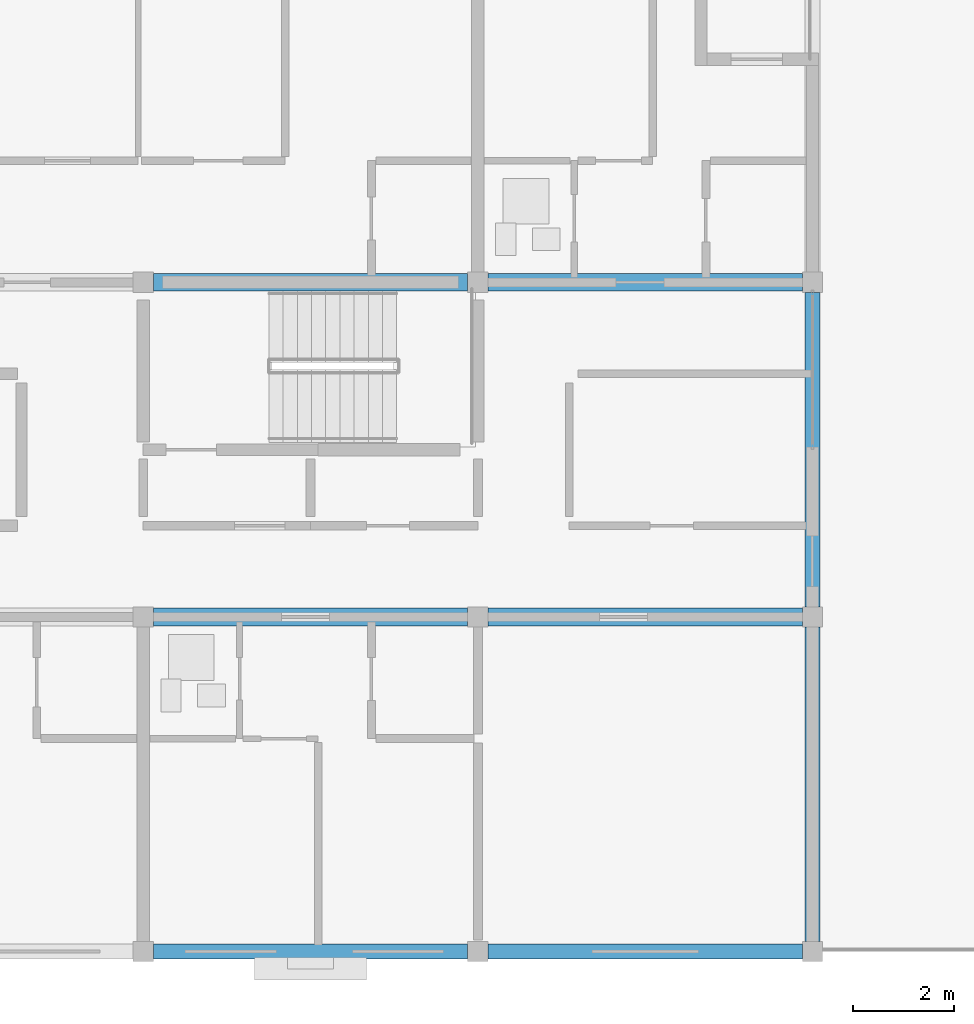
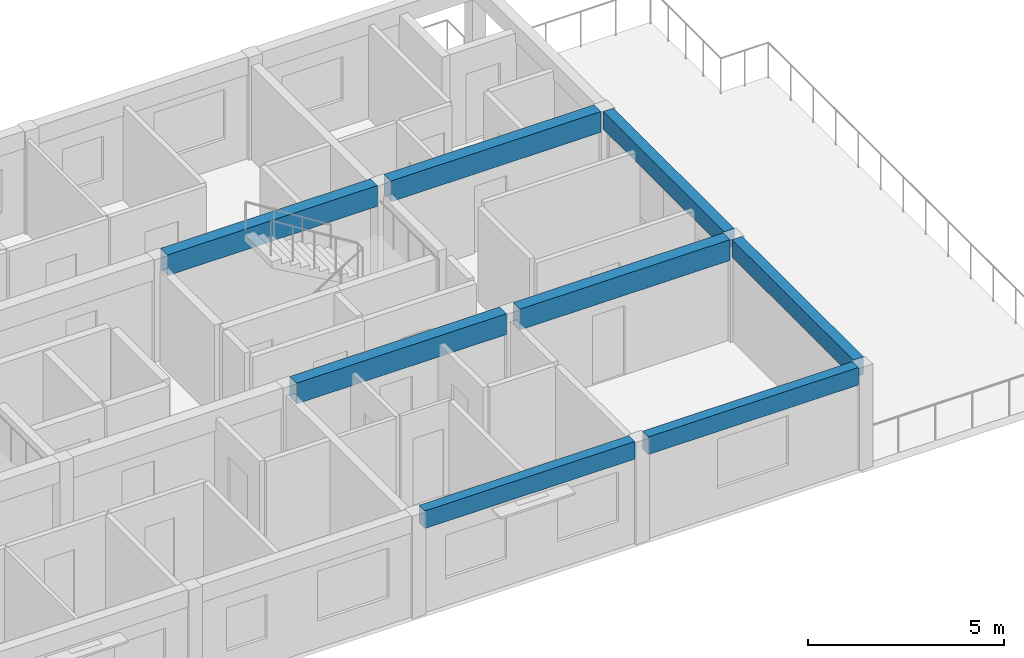
# One storey, part 5 of 12: 8 beams.
"""IFC4 building model written with IfcOpenShell, lengths in metres."""

from ifc_helpers import new_model, si_unit, direction, frame, origin, origin_2d, place, context, subcontext, project, spatial, rectangle, extrude, material, material_profile, profile_set, type_object, element, save


model = new_model("IFC4")

# Units and contexts
model_context = context("Model", 3, precision=1e-05, world=origin(), true_north=direction((0.0, 1.0)))
body_context = subcontext(model_context, "Body", "Model", "MODEL_VIEW")
ifc_project = project(units=[si_unit("LENGTHUNIT", "METRE"), si_unit("AREAUNIT", "SQUARE_METRE"), si_unit("VOLUMEUNIT", "CUBIC_METRE"), si_unit("PLANEANGLEUNIT", "RADIAN"), si_unit("MASSUNIT", "GRAM", prefix="KILO")], contexts=[model_context])

# Site, building, storey
site_placement = place(None, origin())
site = spatial("IfcSite", under=ifc_project, at=site_placement, CompositionType="ELEMENT")
building_placement = place(site_placement, origin())
building = spatial("IfcBuilding", under=site, at=building_placement, Name="Kernevlak Ridge Housing Community", CompositionType="ELEMENT")
storey_placement = place(building_placement, frame((0.0, 0.0, 56.39990234375)))
storey = spatial("IfcBuildingStorey", under=building, at=storey_placement, Name="L17", CompositionType="ELEMENT", Elevation=56.39990234375)

# Beams
ifc_material = material(Name="Concrete C35/45", Category="concrete")
ifc_material_profile_1 = material_profile(ifc_material, rectangle(XDim=0.35009765625, YDim=0.64990234375, at=origin_2d()), Name="RC 350x650")
ifc_profile_set_1 = profile_set([ifc_material_profile_1], Name="Concrete C35/45")
beam_type_1 = type_object("IfcBeamType", Name="B-02", PredefinedType="BEAM", material=ifc_profile_set_1)
for number, where, z_axis, x_axis, name in (
    (1, (29.0, 82.60009765625, 2.875), (1.0, 0.0, 0.0), (0.0, 1.0, 0.0), "Beam B-02 L17 505"),
    (2, (35.60009765625, 82.60009765625, 2.875), (1.0, 0.0, 0.0), (0.0, 1.0, 0.0), "Beam B-02 L17 506"),
    (3, (29.0, 89.199951171875, 2.875), (1.0, 0.0, 0.0), (0.0, 1.0, 0.0), "Beam B-02 L17 509"),
    (4, (35.60009765625, 89.199951171875, 2.875), (1.0, 0.0, 0.0), (0.0, 1.0, 0.0), "Beam B-02 L17 510"),
):
    element("IfcBeam", number, at=place(storey_placement, frame(where, z_axis=z_axis, x_axis=x_axis)), inside=storey, type_object=beam_type_1, Name=name, PredefinedType="BEAM", context=body_context, shape_type="SweptSolid", body=[
        extrude(rectangle(XDim=0.35009765625, YDim=0.64990234375, at=origin_2d()), origin(), (0.0, 0.0, 1.0), 6.199951171875),
    ])
ifc_material_profile_2 = material_profile(ifc_material, rectangle(XDim=0.300048828125, YDim=0.550048828125, at=origin_2d()), Name="RC 300x550")
ifc_profile_set_2 = profile_set([ifc_material_profile_2], Name="Concrete C35/45")
beam_type_2 = type_object("IfcBeamType", Name="SP-01", PredefinedType="SPANDREL", material=ifc_profile_set_2)
for number, where, z_axis, x_axis, name in (
    (5, (29.0, 76.0, 2.925048828125), (1.0, 0.0, 0.0), (0.0, 1.0, 0.0), "Beam SP-01 L17 501"),
    (6, (35.60009765625, 76.0, 2.925048828125), (1.0, 0.0, 0.0), (0.0, 1.0, 0.0), "Beam SP-01 L17 502"),
    (7, (42.0, 76.199951171875, 2.925048828125), (0.0, 1.0, 0.0), (-1.0, 0.0, 0.0), "Beam SP-01 L17 518"),
    (8, (42.0, 82.800048828125, 2.925048828125), (0.0, 1.0, 0.0), (-1.0, 0.0, 0.0), "Beam SP-01 L17 519"),
):
    element("IfcBeam", number, at=place(storey_placement, frame(where, z_axis=z_axis, x_axis=x_axis)), inside=storey, type_object=beam_type_2, Name=name, PredefinedType="SPANDREL", context=body_context, shape_type="SweptSolid", body=[
        extrude(rectangle(XDim=0.300048828125, YDim=0.550048828125, at=origin_2d()), origin(), (0.0, 0.0, 1.0), 6.199951171875),
    ])

save(model, "model.ifc")
